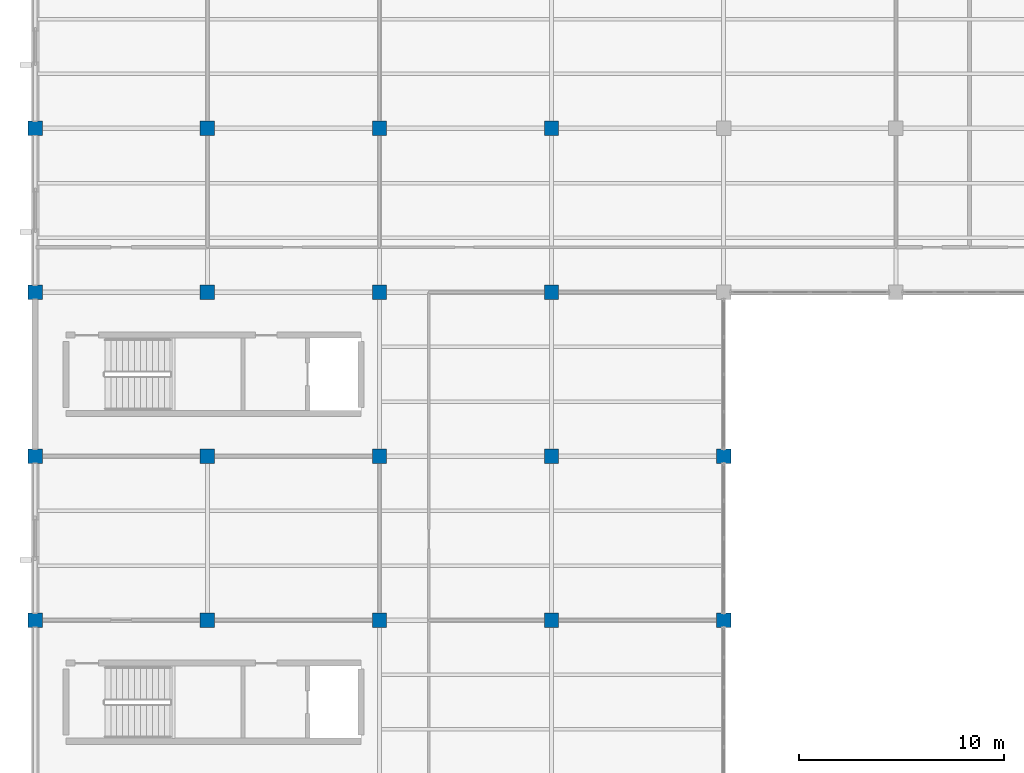
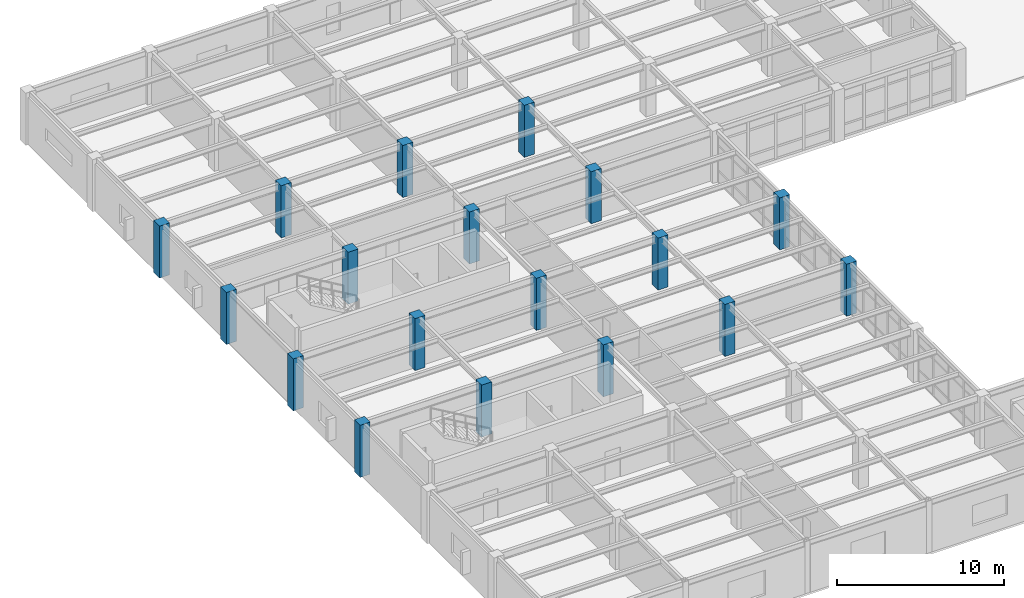
# One storey, part 10 of 138: 18 columns.
"""IFC4 building model written with IfcOpenShell, lengths in metres."""

from ifc_helpers import new_model, si_unit, direction, frame, origin, origin_2d, place, context, subcontext, project, spatial, rectangle, extrude, material, material_profile, profile_set, type_object, element, save


model = new_model("IFC4")

# Units and contexts
model_context = context("Model", 3, precision=1e-05, world=origin(), true_north=direction((0.0, 1.0)))
body_context = subcontext(model_context, "Body", "Model", "MODEL_VIEW")
ifc_project = project(units=[si_unit("LENGTHUNIT", "METRE"), si_unit("AREAUNIT", "SQUARE_METRE"), si_unit("VOLUMEUNIT", "CUBIC_METRE"), si_unit("PLANEANGLEUNIT", "RADIAN"), si_unit("MASSUNIT", "GRAM", prefix="KILO")], contexts=[model_context])

# Site, building, storey
site_placement = place(None, origin())
site = spatial("IfcSite", under=ifc_project, at=site_placement, CompositionType="ELEMENT")
building_placement = place(site_placement, origin())
building = spatial("IfcBuilding", under=site, at=building_placement, Name="Kranzveld Transit Interchange", CompositionType="ELEMENT")
storey_placement = place(building_placement, frame((0.0, 0.0, 5.43994140625)))
storey = spatial("IfcBuildingStorey", under=building, at=storey_placement, Name="L01", CompositionType="ELEMENT", Elevation=5.43994140625)

# Columns
ifc_material = material(Name="Concrete C35/45", Category="concrete")
ifc_material_profile = material_profile(ifc_material, rectangle(XDim=0.699951171875, YDim=0.699951171875, at=origin_2d()), Name="RC 700x700")
ifc_profile_set = profile_set([ifc_material_profile], Name="Concrete C35/45")
column_type = type_object("IfcColumnType", Name="Column RC 700x700 C35/45", PredefinedType="COLUMN", material=ifc_profile_set)
for number, where, z_axis, x_axis, name in (
    (1, (0.0, 72.0, 0.0), (0.0, 0.0, 1.0), (1.0, 0.0, 0.0), "L01 Column 01/K"),
    (2, (0.0, 80.0, 0.0), (0.0, 0.0, 1.0), (1.0, 0.0, 0.0), "L01 Column 01/L"),
    (3, (0.0, 88.0, 0.0), (0.0, 0.0, 1.0), (1.0, 0.0, 0.0), "L01 Column 01/M"),
    (4, (0.0, 96.0, 0.0), (0.0, 0.0, 1.0), (1.0, 0.0, 0.0), "L01 Column 01/N"),
    (5, (8.39990234375, 72.0, 0.0), (0.0, 0.0, 1.0), (1.0, 0.0, 0.0), "L01 Column 02/K"),
    (6, (8.39990234375, 80.0, 0.0), (0.0, 0.0, 1.0), (1.0, 0.0, 0.0), "L01 Column 02/L"),
    (7, (8.39990234375, 88.0, 0.0), (0.0, 0.0, 1.0), (1.0, 0.0, 0.0), "L01 Column 02/M"),
    (8, (8.39990234375, 96.0, 0.0), (0.0, 0.0, 1.0), (1.0, 0.0, 0.0), "L01 Column 02/N"),
    (9, (16.800048828125, 72.0, 0.0), (0.0, 0.0, 1.0), (1.0, 0.0, 0.0), "L01 Column 03/K"),
    (10, (16.800048828125, 80.0, 0.0), (0.0, 0.0, 1.0), (1.0, 0.0, 0.0), "L01 Column 03/L"),
    (11, (16.800048828125, 88.0, 0.0), (0.0, 0.0, 1.0), (1.0, 0.0, 0.0), "L01 Column 03/M"),
    (12, (16.800048828125, 96.0, 0.0), (0.0, 0.0, 1.0), (1.0, 0.0, 0.0), "L01 Column 03/N"),
    (13, (25.199951171875, 72.0, 0.0), (0.0, 0.0, 1.0), (1.0, 0.0, 0.0), "L01 Column 04/K"),
    (14, (25.199951171875, 80.0, 0.0), (0.0, 0.0, 1.0), (1.0, 0.0, 0.0), "L01 Column 04/L"),
    (15, (25.199951171875, 88.0, 0.0), (0.0, 0.0, 1.0), (1.0, 0.0, 0.0), "L01 Column 04/M"),
    (16, (25.199951171875, 96.0, 0.0), (0.0, 0.0, 1.0), (1.0, 0.0, 0.0), "L01 Column 04/N"),
    (17, (33.60009765625, 72.0, 0.0), (0.0, 0.0, 1.0), (1.0, 0.0, 0.0), "L01 Column 05/K"),
    (18, (33.60009765625, 80.0, 0.0), (0.0, 0.0, 1.0), (1.0, 0.0, 0.0), "L01 Column 05/L"),
):
    element("IfcColumn", number, at=place(storey_placement, frame(where, z_axis=z_axis, x_axis=x_axis)), inside=storey, type_object=column_type, Name=name, PredefinedType="COLUMN", context=body_context, shape_type="SweptSolid", body=[
        extrude(rectangle(XDim=0.699951171875, YDim=0.699951171875, at=origin_2d()), origin(), (0.0, 0.0, 1.0), 3.800048828125),
    ])

save(model, "model.ifc")
